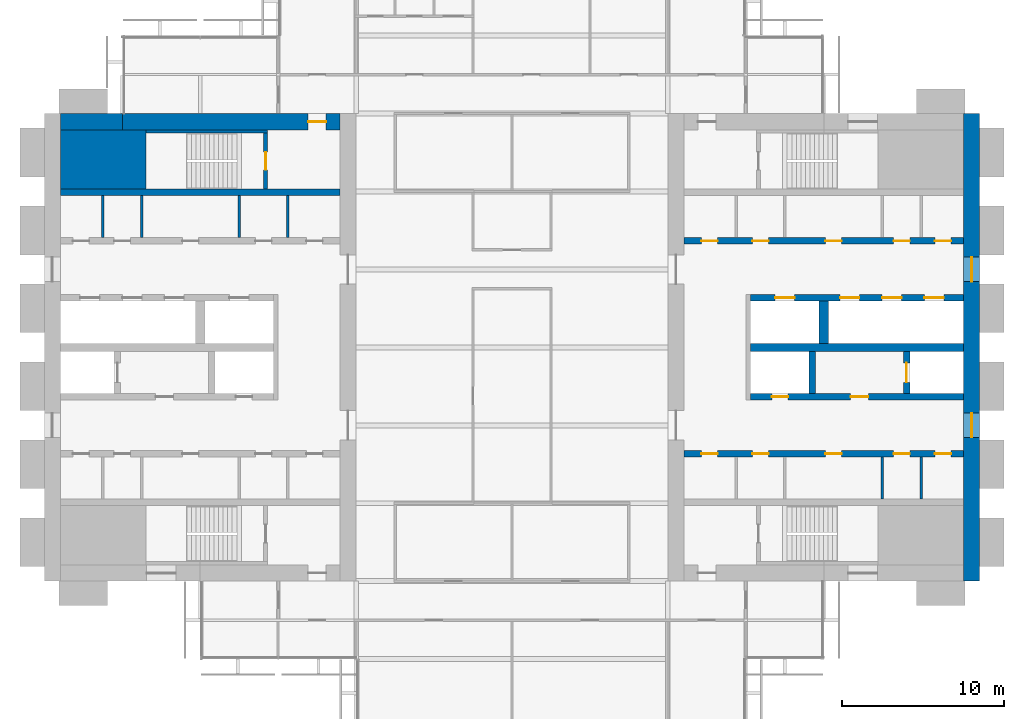
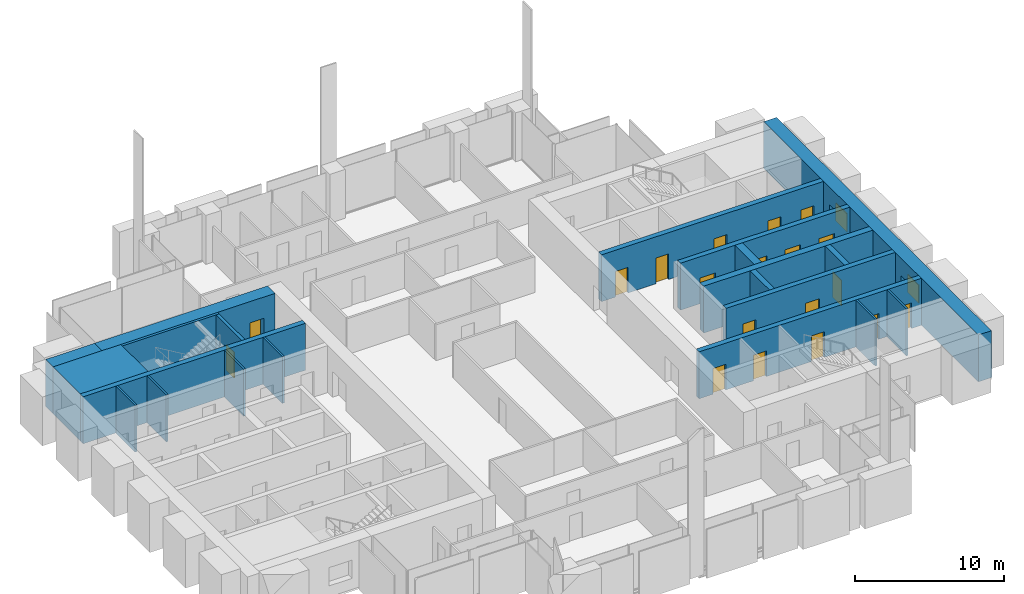
# One storey, part 11 of 14: 21 walls, 19 doors, 2 windows, 21 openings.
"""IFC4 building model written with IfcOpenShell, lengths in metres."""

import ifcopenshell
import ifcopenshell.guid

model = None  # the IFC model being written
_history = None  # IfcOwnerHistory: only IFC2X3 demands one
_inside = {}  # id of a spatial element -> (the spatial element, [elements in it])
_under = {}  # id of a project, library or spatial element -> (it, [spatial elements below it])
_declared = {}  # id of a project -> (the project, [libraries it declares])
_typed = {}  # id of a type object -> (the type object, [elements of that type])
_made_of = {}  # id of a material, layer set ... -> (it, [elements and type objects made of it])


def new_model(schema):
    """Start an empty IFC model of exactly this schema.

    Asked for "IFC4X3", IfcOpenShell would pick the latest addendum, in which some entities
    have other attributes; the version numbers below select the first issue.
    IFC2X3 requires an IfcOwnerHistory on every rooted entity: one is made here for all.
    """
    global model, _history
    if schema == "IFC4X3":
        model = ifcopenshell.file(schema_version=(4, 3, 0, 0))
    else:
        model = ifcopenshell.file(schema=schema)
    _inside.clear()
    _under.clear()
    _declared.clear()
    _typed.clear()
    _made_of.clear()
    _history = None
    if model.schema == "IFC2X3":
        org = make("IfcOrganization", Name="unknown")
        user = make(
            "IfcPersonAndOrganization",
            ThePerson=make("IfcPerson", FamilyName="unknown"),
            TheOrganization=org,
        )
        app = make(
            "IfcApplication",
            ApplicationDeveloper=org,
            Version="unknown",
            ApplicationFullName="unknown",
            ApplicationIdentifier="unknown",
        )
        _history = make(
            "IfcOwnerHistory",
            OwningUser=user,
            OwningApplication=app,
            ChangeAction="ADDED",
            CreationDate=0,
        )
    return model


def make(cls, **values):
    """One entity of the class cls with the attributes given. An attribute that is None is left unset."""
    return model.create_entity(
        cls, **{name: value for name, value in values.items() if value is not None}
    )


def rooted(cls, **values):
    """An entity with a GlobalId (a new one), such as an element, a storey or a relation."""
    return make(cls, GlobalId=ifcopenshell.guid.new(), OwnerHistory=_history, **values)


def si_unit(unit_type, name, prefix=None):
    """IfcSIUnit, for example si_unit("LENGTHUNIT", "METRE", prefix="MILLI")."""
    return make("IfcSIUnit", UnitType=unit_type, Prefix=prefix, Name=name)


def assignment(units):
    """IfcUnitAssignment: the units of a project."""
    return None if units is None else make("IfcUnitAssignment", Units=units)


def point(xyz):
    """IfcCartesianPoint."""
    return None if xyz is None else make("IfcCartesianPoint", Coordinates=xyz)


def direction(xyz):
    """IfcDirection."""
    return None if xyz is None else make("IfcDirection", DirectionRatios=xyz)


def frame(location, z_axis=None, x_axis=None):
    """IfcAxis2Placement3D, a coordinate frame: its origin and axes. An axis left out is left unset."""
    return make(
        "IfcAxis2Placement3D",
        Location=point(location),
        Axis=direction(z_axis),
        RefDirection=direction(x_axis),
    )


def frame_2d(location, x_axis=None):
    """IfcAxis2Placement2D, a coordinate frame in the plane: its origin and x axis."""
    return make(
        "IfcAxis2Placement2D", Location=point(location), RefDirection=direction(x_axis)
    )


def origin():
    """The frame at (0, 0, 0) with its axes left unset."""
    return frame((0.0, 0.0, 0.0))


def place(relative_to, where):
    """IfcLocalPlacement: puts the frame where relative to a parent placement (None: the world)."""
    return make(
        "IfcLocalPlacement", PlacementRelTo=relative_to, RelativePlacement=where
    )


def context(
    kind, dimensions, precision=None, world=None, true_north=None, identifier=None
):
    """IfcGeometricRepresentationContext, for example the 3D "Model" context."""
    return make(
        "IfcGeometricRepresentationContext",
        ContextIdentifier=identifier,
        ContextType=kind,
        CoordinateSpaceDimension=dimensions,
        Precision=precision,
        WorldCoordinateSystem=world,
        TrueNorth=true_north,
    )


def subcontext(parent, identifier, kind, view, scale=None):
    """IfcGeometricRepresentationSubContext, for example "Body" below "Model"."""
    return make(
        "IfcGeometricRepresentationSubContext",
        ContextIdentifier=identifier,
        ContextType=kind,
        ParentContext=parent,
        TargetScale=scale,
        TargetView=view,
    )


def project(units=None, contexts=None):
    """IfcProject with its units and contexts."""
    return rooted(
        "IfcProject",
        Name="project",
        RepresentationContexts=contexts,
        UnitsInContext=assignment(units),
    )


def spatial(cls, under=None, at=None, **own):
    """A site, building, storey or space (cls), placed at a placement, below another one or the project."""
    s = rooted(cls, ObjectPlacement=at, **own)
    if under is not None:
        _under.setdefault(under.id(), (under, []))[1].append(s)
    return s


def profile(cls, at=None, kind="AREA", **sizes):
    """A parametric profile (cls). Its sizes go by their IFC names, for example OverallWidth=200.0."""
    return make(cls, ProfileType=kind, Position=at, **sizes)


def rectangle(**sizes):
    """IfcRectangleProfileDef."""
    return profile("IfcRectangleProfileDef", **sizes)


def extrude(swept, where, along, depth):
    """IfcExtrudedAreaSolid: the profile swept, set in the frame where, extruded along a direction by depth."""
    return make(
        "IfcExtrudedAreaSolid",
        SweptArea=swept,
        Position=where,
        ExtrudedDirection=direction(along),
        Depth=depth,
    )


def shape(context_of_items, identifier, shape_type, items):
    """IfcShapeRepresentation: the items that make up one representation, for example the "Body"."""
    return make(
        "IfcShapeRepresentation",
        ContextOfItems=context_of_items,
        RepresentationIdentifier=identifier,
        RepresentationType=shape_type,
        Items=items,
    )


def material(Name=None, Category=None):
    """IfcMaterial."""
    return make("IfcMaterial", Name=Name, Category=Category)


def layer(
    of_material, thickness, ventilated=None, Name=None, Category=None, Priority=None
):
    """IfcMaterialLayer: one layer of a wall or slab, of a material (None: an air gap)."""
    return make(
        "IfcMaterialLayer",
        Material=of_material,
        LayerThickness=thickness,
        IsVentilated=ventilated,
        Name=Name,
        Category=Category,
        Priority=Priority,
    )


def layer_set(layers, Name=None):
    """IfcMaterialLayerSet."""
    return make("IfcMaterialLayerSet", MaterialLayers=layers, LayerSetName=Name)


def made_of(thing, what):
    """Note that an element or type object is made of a material, layer set ...; save() writes the relation."""
    if what is not None:
        _made_of.setdefault(what.id(), (what, []))[1].append(thing)
    return thing


def type_object(cls, material=None, **own):
    """A type object (cls), such as IfcWallType, which elements share."""
    return made_of(rooted(cls, **own), material)


def element(
    cls,
    number,
    at=None,
    inside=None,
    cuts=None,
    type_object=None,
    material=None,
    context=None,
    identifier="Body",
    shape_type=None,
    held_by="IfcProductDefinitionShape",
    body=None,
    shapes=None,
    **own,
):
    """One element of the class cls, such as IfcWall. Its Tag is "e" and its number.

    at: its placement. inside: the storey or other place that contains it. cuts: it is an
    opening in that element (IfcRelVoidsElement). A single representation is given by context,
    identifier, shape_type and body (its items); several are given by shapes. held_by: the class
    of the entity that holds the representations. save() writes the other relations.
    """
    e = rooted(cls, Tag="e%d" % number, ObjectPlacement=at, **own)
    if body is not None:
        shapes = [shape(context, identifier, shape_type, body)]
    if shapes is not None:
        e.Representation = make(held_by, Representations=shapes)
    if inside is not None:
        _inside.setdefault(inside.id(), (inside, []))[1].append(e)
    if cuts is not None:
        rooted(
            "IfcRelVoidsElement", RelatingBuildingElement=cuts, RelatedOpeningElement=e
        )
    if type_object is not None:
        _typed.setdefault(type_object.id(), (type_object, []))[1].append(e)
    return made_of(e, material)


def fill(opening, filler):
    """IfcRelFillsElement: the door or window that sits in an opening."""
    return rooted(
        "IfcRelFillsElement",
        RelatingOpeningElement=opening,
        RelatedBuildingElement=filler,
    )


def aggregate(whole, parts):
    """IfcRelAggregates: a whole, such as a stair, and the parts it consists of."""
    return rooted("IfcRelAggregates", RelatingObject=whole, RelatedObjects=parts)


def save(model, path):
    """Write the relations noted so far, then the file.

    IfcRelAggregates (storeys below a building ...), IfcRelContainedInSpatialStructure (elements
    in a storey), IfcRelDefinesByType, IfcRelAssociatesMaterial and IfcRelDeclares: one each for
    every whole, place, type object, material and project.
    """
    for whole, parts in _under.values():
        aggregate(whole, parts)
    for where, things in _inside.values():
        rooted(
            "IfcRelContainedInSpatialStructure",
            RelatedElements=things,
            RelatingStructure=where,
        )
    for kind, things in _typed.values():
        rooted("IfcRelDefinesByType", RelatedObjects=things, RelatingType=kind)
    for what, things in _made_of.values():
        rooted("IfcRelAssociatesMaterial", RelatedObjects=things, RelatingMaterial=what)
    for by, libraries in _declared.values():
        rooted("IfcRelDeclares", RelatingContext=by, RelatedDefinitions=libraries)
    model.write(path)


model = new_model("IFC4")

# Units and contexts
model_context = context("Model", 3, precision=1e-05, world=origin(), true_north=direction((0.0, 1.0)))
body_context = subcontext(model_context, "Body", "Model", "MODEL_VIEW")
ifc_project = project(units=[si_unit("LENGTHUNIT", "METRE"), si_unit("AREAUNIT", "SQUARE_METRE"), si_unit("VOLUMEUNIT", "CUBIC_METRE"), si_unit("PLANEANGLEUNIT", "RADIAN"), si_unit("MASSUNIT", "GRAM", prefix="KILO")], contexts=[model_context])

# Site, building, storey
site_placement = place(None, origin())
site = spatial("IfcSite", under=ifc_project, at=site_placement, CompositionType="ELEMENT")
building_placement = place(site_placement, origin())
building = spatial("IfcBuilding", under=site, at=building_placement, Name="Baori Bourse Tower", CompositionType="ELEMENT")
storey_placement = place(building_placement, frame((0.0, 0.0, 156.10009765625)))
storey = spatial("IfcBuildingStorey", under=building, at=storey_placement, Name="L34", CompositionType="ELEMENT", Elevation=156.10009765625)

# Walls
ifc_material_1 = material(Name="Concrete f'c 60 MPa", Category="concrete")
wall_type_1 = type_object("IfcWallType", Name="Core corner block f'c 60", PredefinedType="SHEAR", material=ifc_material_1)
wall_1_placement = place(storey_placement, frame((1.0, 35.574951171875, 0.0), z_axis=(0.0, 0.0, 1.0), x_axis=(1.0, 0.0, 0.0)))
element("IfcWall", 1, at=wall_1_placement, inside=storey, type_object=wall_type_1, Name="Core wall W28", PredefinedType="SHEAR", context=body_context, shape_type="SweptSolid", body=[
    extrude(rectangle(XDim=5.25, YDim=3.64990234375, at=frame_2d((2.625, 0.0))), origin(), (0.0, 0.0, 1.0), 3.83984375),
])
ifc_material_2 = material(Name="Blockwork partition", Category="masonry")
ifc_layer_1 = layer(ifc_material_2, 0.14990234375)
ifc_layer_set_1 = layer_set([ifc_layer_1], Name="Core partition 150")
wall_type_2 = type_object("IfcWallType", Name="Core partition 150", PredefinedType="PARTITIONING", material=ifc_layer_set_1)
for number, where, z_axis, x_axis, name in (
    (2, (3.60009765625, 30.75, 0.0), (0.0, 0.0, 1.0), (0.0, 1.0, 0.0), "Partition wall W23"),
    (3, (6.0, 30.75, 0.0), (0.0, 0.0, 1.0), (0.0, 1.0, 0.0), "Partition wall W24"),
    (4, (12.0, 30.75, 0.0), (0.0, 0.0, 1.0), (0.0, 1.0, 0.0), "Partition wall W25"),
    (5, (15.0, 30.75, 0.0), (0.0, 0.0, 1.0), (0.0, 1.0, 0.0), "Partition wall W26"),
    (6, (54.0, 14.64990234375, 0.0), (0.0, 0.0, 1.0), (0.0, 1.0, 0.0), "Partition wall E10"),
    (7, (51.60009765625, 14.64990234375, 0.0), (0.0, 0.0, 1.0), (0.0, 1.0, 0.0), "Partition wall E11"),
):
    element("IfcWall", number, at=place(storey_placement, frame(where, z_axis=z_axis, x_axis=x_axis)), inside=storey, type_object=wall_type_2, Name=name, PredefinedType="PARTITIONING", context=body_context, shape_type="SweptSolid", body=[
        extrude(rectangle(XDim=2.60009765625, YDim=0.14990234375, at=frame_2d((1.300048828125, 0.0))), origin(), (0.0, 0.0, 1.0), 3.83984375),
    ])
ifc_material_3 = material(Name="Concrete f'c 60 MPa", Category="concrete")
ifc_layer_2 = layer(ifc_material_3, 1.0)
ifc_layer_set_2 = layer_set([ifc_layer_2], Name="Core wall 1000 f'c 60")
wall_type_3 = type_object("IfcWallType", Name="Core wall 1000 f'c 60", PredefinedType="SHEAR", material=ifc_layer_set_2)
wall_2_placement = place(storey_placement, frame((1.0, 37.89990234375, 0.0), z_axis=(0.0, 0.0, 1.0), x_axis=(1.0, 0.0, 0.0)))
element("IfcWall", 8, at=wall_2_placement, inside=storey, type_object=wall_type_3, Name="Core wall W31", PredefinedType="SHEAR", context=body_context, shape_type="SweptSolid", body=[
    extrude(rectangle(XDim=3.800048828125, YDim=1.0, at=frame_2d((1.89990234375, 0.0))), origin(), (0.0, 0.0, 1.0), 3.83984375),
])

# Wall, opening, door
wall_3_placement = place(storey_placement, frame((4.800048828125, 37.89990234375, 0.0), z_axis=(0.0, 0.0, 1.0), x_axis=(1.0, 0.0, 0.0)))
wall_3 = element("IfcWall", 9, at=wall_3_placement, inside=storey, type_object=wall_type_3, Name="Core wall W32", PredefinedType="SHEAR", context=body_context, shape_type="SweptSolid", body=[
    extrude(rectangle(XDim=13.39990234375, YDim=1.0, at=frame_2d((6.699951171875, 0.0))), origin(), (0.0, 0.0, 1.0), 3.83984375),
])
opening_1_placement = place(wall_3_placement, frame((11.449951171875, 0.0, 0.0)))
opening_1 = element("IfcOpeningElement", 10, at=opening_1_placement, cuts=wall_3, Name="Opening L34-D104", PredefinedType="OPENING", context=body_context, shape_type="SweptSolid", body=[
    extrude(rectangle(XDim=1.10009765625, YDim=2.10009765625, at=frame_2d((0.550048828125, 1.050048828125))), frame((0.0, 0.510009765625, 0.0), z_axis=(0.0, -1.0, 0.0), x_axis=(1.0, 0.0, 0.0)), (0.0, 0.0, 1.0), 1.02001953125),
])
ifc_material_4 = material(Name="Painted steel door", Category="steel")
door_type_1 = type_object("IfcDoorType", Name="Stair door 1100", OperationType="SINGLE_SWING_LEFT", PredefinedType="DOOR", material=ifc_material_4)
door_1_placement = place(opening_1_placement, origin())
door_1 = element("IfcDoor", 11, at=door_1_placement, inside=storey, type_object=door_type_1, Name="Stair vestibule door B W L34", OperationType="SINGLE_SWING_LEFT", OverallHeight=2.10009765625, OverallWidth=1.10009765625, PredefinedType="DOOR", context=body_context, shape_type="SweptSolid", body=[
    extrude(rectangle(XDim=1.10009765625, YDim=2.10009765625, at=frame_2d((0.550048828125, 1.050048828125))), frame((0.0, 0.02490234375, 0.0), z_axis=(0.0, -1.0, 0.0), x_axis=(1.0, 0.0, 0.0)), (0.0, 0.0, 1.0), 0.050048828125),
])
fill(opening_1, door_1)

# Wall, openings, windows
wall_4_placement = place(storey_placement, frame((57.10009765625, 38.39990234375, 0.0), z_axis=(0.0, 0.0, 1.0), x_axis=(0.0, -1.0, 0.0)))
wall_4 = element("IfcWall", 12, at=wall_4_placement, inside=storey, type_object=wall_type_3, Name="Core wall E01", PredefinedType="SHEAR", context=body_context, shape_type="SweptSolid", body=[
    extrude(rectangle(XDim=28.7998046875, YDim=1.0, at=frame_2d((14.39990234375, 0.0))), origin(), (0.0, 0.0, 1.0), 3.83984375),
])
opening_2_placement = place(wall_4_placement, frame((18.449951171875, 0.0, 0.89990234375)))
opening_2 = element("IfcOpeningElement", 13, at=opening_2_placement, cuts=wall_4, Name="Opening L34-KW201", PredefinedType="OPENING", context=body_context, shape_type="SweptSolid", body=[
    extrude(rectangle(XDim=1.5, YDim=1.5, at=frame_2d((0.75, 0.75))), frame((0.0, 0.510009765625, 0.0), z_axis=(0.0, -1.0, 0.0), x_axis=(1.0, 0.0, 0.0)), (0.0, 0.0, 1.0), 1.02001953125),
])
opening_3_placement = place(wall_4_placement, frame((8.85009765625, 0.0, 0.89990234375)))
opening_3 = element("IfcOpeningElement", 14, at=opening_3_placement, cuts=wall_4, Name="Opening L34-KW202", PredefinedType="OPENING", context=body_context, shape_type="SweptSolid", body=[
    extrude(rectangle(XDim=1.5, YDim=1.5, at=frame_2d((0.75, 0.75))), frame((0.0, 0.510009765625, 0.0), z_axis=(0.0, -1.0, 0.0), x_axis=(1.0, 0.0, 0.0)), (0.0, 0.0, 1.0), 1.02001953125),
])
ifc_material_5 = material(Name="Pale anodised aluminium", Category="aluminium")
window_type = type_object("IfcWindowType", Name="Lobby window 1500 x 1500", PartitioningType="SINGLE_PANEL", PredefinedType="WINDOW", material=ifc_material_5)
window_1_placement = place(opening_2_placement, origin())
window_1 = element("IfcWindow", 15, at=window_1_placement, inside=storey, type_object=window_type, Name="Outer wall window E L34 1", OverallHeight=1.5, OverallWidth=1.5, PartitioningType="SINGLE_PANEL", PredefinedType="WINDOW", context=body_context, shape_type="SweptSolid", body=[
    extrude(rectangle(XDim=1.5, YDim=1.5, at=frame_2d((0.75, 0.75))), frame((0.0, 0.030029296875, 0.0), z_axis=(0.0, -1.0, 0.0), x_axis=(1.0, 0.0, 0.0)), (0.0, 0.0, 1.0), 0.06005859375),
])
fill(opening_2, window_1)
window_2_placement = place(opening_3_placement, origin())
window_2 = element("IfcWindow", 16, at=window_2_placement, inside=storey, type_object=window_type, Name="Outer wall window E L34 2", OverallHeight=1.5, OverallWidth=1.5, PartitioningType="SINGLE_PANEL", PredefinedType="WINDOW", context=body_context, shape_type="SweptSolid", body=[
    extrude(rectangle(XDim=1.5, YDim=1.5, at=frame_2d((0.75, 0.75))), frame((0.0, 0.030029296875, 0.0), z_axis=(0.0, -1.0, 0.0), x_axis=(1.0, 0.0, 0.0)), (0.0, 0.0, 1.0), 0.06005859375),
])
fill(opening_3, window_2)

# Wall
ifc_material_6 = material(Name="Concrete f'c 60 MPa", Category="concrete")
ifc_layer_3 = layer(ifc_material_6, 0.199951171875)
ifc_layer_set_3 = layer_set([ifc_layer_3], Name="Shaft wall 200 f'c 60")
wall_type_4 = type_object("IfcWallType", Name="Shaft wall 200 f'c 60", PredefinedType="SHEAR", material=ifc_layer_set_3)
wall_5_placement = place(storey_placement, frame((6.25, 37.300048828125, 0.0), z_axis=(0.0, 0.0, 1.0), x_axis=(1.0, 0.0, 0.0)))
element("IfcWall", 17, at=wall_5_placement, inside=storey, type_object=wall_type_4, Name="Core wall W30", PredefinedType="SHEAR", context=body_context, shape_type="SweptSolid", body=[
    extrude(rectangle(XDim=7.5, YDim=0.199951171875, at=frame_2d((3.75, 0.0))), origin(), (0.0, 0.0, 1.0), 3.83984375),
])

# Wall, opening, door
ifc_material_7 = material(Name="Concrete f'c 60 MPa", Category="concrete")
ifc_layer_4 = layer(ifc_material_7, 0.25)
ifc_layer_set_4 = layer_set([ifc_layer_4], Name="Shaft wall 250 f'c 60")
wall_type_5 = type_object("IfcWallType", Name="Shaft wall 250 f'c 60", PredefinedType="SHEAR", material=ifc_layer_set_4)
wall_6_placement = place(storey_placement, frame((13.625, 33.75, 0.0), z_axis=(0.0, 0.0, 1.0), x_axis=(0.0, 1.0, 0.0)))
wall_6 = element("IfcWall", 18, at=wall_6_placement, inside=storey, type_object=wall_type_5, Name="Core wall W29", PredefinedType="SHEAR", context=body_context, shape_type="SweptSolid", body=[
    extrude(rectangle(XDim=3.449951171875, YDim=0.25, at=frame_2d((1.72509765625, 0.0))), origin(), (0.0, 0.0, 1.0), 3.83984375),
])
opening_4_placement = place(wall_6_placement, frame((1.175048828125, 0.0, 0.0)))
opening_4 = element("IfcOpeningElement", 19, at=opening_4_placement, cuts=wall_6, Name="Opening L34-D103", PredefinedType="OPENING", context=body_context, shape_type="SweptSolid", body=[
    extrude(rectangle(XDim=1.10009765625, YDim=2.10009765625, at=frame_2d((0.550048828125, 1.050048828125))), frame((0.0, 0.135009765625, 0.0), z_axis=(0.0, -1.0, 0.0), x_axis=(1.0, 0.0, 0.0)), (0.0, 0.0, 1.0), 0.27001953125),
])
door_2_placement = place(opening_4_placement, origin())
door_2 = element("IfcDoor", 20, at=door_2_placement, inside=storey, type_object=door_type_1, Name="Stair door B W L34", OperationType="SINGLE_SWING_LEFT", OverallHeight=2.10009765625, OverallWidth=1.10009765625, PredefinedType="DOOR", context=body_context, shape_type="SweptSolid", body=[
    extrude(rectangle(XDim=1.10009765625, YDim=2.10009765625, at=frame_2d((0.550048828125, 1.050048828125))), frame((0.0, 0.02490234375, 0.0), z_axis=(0.0, -1.0, 0.0), x_axis=(1.0, 0.0, 0.0)), (0.0, 0.0, 1.0), 0.050048828125),
])
fill(opening_4, door_2)

# Wall
ifc_material_8 = material(Name="Concrete f'c 60 MPa", Category="concrete")
ifc_layer_5 = layer(ifc_material_8, 0.39990234375)
ifc_layer_set_5 = layer_set([ifc_layer_5], Name="Shaft wall 400 f'c 60")
wall_type_6 = type_object("IfcWallType", Name="Shaft wall 400 f'c 60", PredefinedType="SHEAR", material=ifc_layer_set_5)
wall_7_placement = place(storey_placement, frame((1.0, 33.550048828125, 0.0), z_axis=(0.0, 0.0, 1.0), x_axis=(1.0, 0.0, 0.0)))
element("IfcWall", 21, at=wall_7_placement, inside=storey, type_object=wall_type_6, Name="Core wall W27", PredefinedType="SHEAR", context=body_context, shape_type="SweptSolid", body=[
    extrude(rectangle(XDim=17.199951171875, YDim=0.39990234375, at=frame_2d((8.60009765625, 0.0))), origin(), (0.0, 0.0, 1.0), 3.83984375),
])

# Wall, openings, doors
wall_8_placement = place(storey_placement, frame((39.39990234375, 17.449951171875, 0.0), z_axis=(0.0, 0.0, 1.0), x_axis=(1.0, 0.0, 0.0)))
wall_8 = element("IfcWall", 22, at=wall_8_placement, inside=storey, type_object=wall_type_6, Name="Core wall E14", PredefinedType="SHEAR", context=body_context, shape_type="SweptSolid", body=[
    extrude(rectangle(XDim=17.2001953125, YDim=0.39990234375, at=frame_2d((8.60009765625, 0.0))), origin(), (0.0, 0.0, 1.0), 3.83984375),
])
opening_5_placement = place(wall_8_placement, frame((15.4375, 0.0, 0.0)))
opening_5 = element("IfcOpeningElement", 23, at=opening_5_placement, cuts=wall_8, Name="Opening L34-D214", PredefinedType="OPENING", context=body_context, shape_type="SweptSolid", body=[
    extrude(rectangle(XDim=1.0, YDim=2.10009765625, at=frame_2d((0.5, 1.050048828125))), frame((0.0, 0.2099609375, 0.0), z_axis=(0.0, -1.0, 0.0), x_axis=(1.0, 0.0, 0.0)), (0.0, 0.0, 1.0), 0.419921875),
])
opening_6_placement = place(wall_8_placement, frame((12.89990234375, 0.0, 0.0)))
opening_6 = element("IfcOpeningElement", 24, at=opening_6_placement, cuts=wall_8, Name="Opening L34-D215", PredefinedType="OPENING", context=body_context, shape_type="SweptSolid", body=[
    extrude(rectangle(XDim=1.0, YDim=2.10009765625, at=frame_2d((0.5, 1.050048828125))), frame((0.0, 0.2099609375, 0.0), z_axis=(0.0, -1.0, 0.0), x_axis=(1.0, 0.0, 0.0)), (0.0, 0.0, 1.0), 0.419921875),
])
opening_7_placement = place(wall_8_placement, frame((8.699951171875, 0.0, 0.0)))
opening_7 = element("IfcOpeningElement", 25, at=opening_7_placement, cuts=wall_8, Name="Opening L34-D216", PredefinedType="OPENING", context=body_context, shape_type="SweptSolid", body=[
    extrude(rectangle(XDim=1.0, YDim=2.10009765625, at=frame_2d((0.5, 1.050048828125))), frame((0.0, 0.2099609375, 0.0), z_axis=(0.0, -1.0, 0.0), x_axis=(1.0, 0.0, 0.0)), (0.0, 0.0, 1.0), 0.419921875),
])
opening_8_placement = place(wall_8_placement, frame((4.199951171875, 0.0, 0.0)))
opening_8 = element("IfcOpeningElement", 26, at=opening_8_placement, cuts=wall_8, Name="Opening L34-D217", PredefinedType="OPENING", context=body_context, shape_type="SweptSolid", body=[
    extrude(rectangle(XDim=1.0, YDim=2.10009765625, at=frame_2d((0.5, 1.050048828125))), frame((0.0, 0.2099609375, 0.0), z_axis=(0.0, -1.0, 0.0), x_axis=(1.0, 0.0, 0.0)), (0.0, 0.0, 1.0), 0.419921875),
])
opening_9_placement = place(wall_8_placement, frame((1.0625, 0.0, 0.0)))
opening_9 = element("IfcOpeningElement", 27, at=opening_9_placement, cuts=wall_8, Name="Opening L34-D218", PredefinedType="OPENING", context=body_context, shape_type="SweptSolid", body=[
    extrude(rectangle(XDim=1.0, YDim=2.10009765625, at=frame_2d((0.5, 1.050048828125))), frame((0.0, 0.2099609375, 0.0), z_axis=(0.0, -1.0, 0.0), x_axis=(1.0, 0.0, 0.0)), (0.0, 0.0, 1.0), 0.419921875),
])
ifc_material_9 = material(Name="Painted steel door", Category="steel")
door_type_2 = type_object("IfcDoorType", Name="Core door 1000", OperationType="SINGLE_SWING_LEFT", PredefinedType="DOOR", material=ifc_material_9)
door_3_placement = place(opening_5_placement, origin())
door_3 = element("IfcDoor", 28, at=door_3_placement, inside=storey, type_object=door_type_2, Name="Store Room door E L34", OperationType="SINGLE_SWING_LEFT", OverallHeight=2.10009765625, OverallWidth=1.0, PredefinedType="DOOR", context=body_context, shape_type="SweptSolid", body=[
    extrude(rectangle(XDim=1.0, YDim=2.10009765625, at=frame_2d((0.5, 1.050048828125))), frame((0.0, 0.02490234375, 0.0), z_axis=(0.0, -1.0, 0.0), x_axis=(1.0, 0.0, 0.0)), (0.0, 0.0, 1.0), 0.050048828125),
])
fill(opening_5, door_3)
door_4_placement = place(opening_6_placement, origin())
door_4 = element("IfcDoor", 29, at=door_4_placement, inside=storey, type_object=door_type_2, Name="Pantry door E L34", OperationType="SINGLE_SWING_LEFT", OverallHeight=2.10009765625, OverallWidth=1.0, PredefinedType="DOOR", context=body_context, shape_type="SweptSolid", body=[
    extrude(rectangle(XDim=1.0, YDim=2.10009765625, at=frame_2d((0.5, 1.050048828125))), frame((0.0, 0.02490234375, 0.0), z_axis=(0.0, -1.0, 0.0), x_axis=(1.0, 0.0, 0.0)), (0.0, 0.0, 1.0), 0.050048828125),
])
fill(opening_6, door_4)
door_5_placement = place(opening_7_placement, origin())
door_5 = element("IfcDoor", 30, at=door_5_placement, inside=storey, type_object=door_type_2, Name="Men'S Wc door E L34", OperationType="SINGLE_SWING_LEFT", OverallHeight=2.10009765625, OverallWidth=1.0, PredefinedType="DOOR", context=body_context, shape_type="SweptSolid", body=[
    extrude(rectangle(XDim=1.0, YDim=2.10009765625, at=frame_2d((0.5, 1.050048828125))), frame((0.0, 0.02490234375, 0.0), z_axis=(0.0, -1.0, 0.0), x_axis=(1.0, 0.0, 0.0)), (0.0, 0.0, 1.0), 0.050048828125),
])
fill(opening_7, door_5)
door_6_placement = place(opening_8_placement, origin())
door_6 = element("IfcDoor", 31, at=door_6_placement, inside=storey, type_object=door_type_2, Name="Women'S Wc door E L34", OperationType="SINGLE_SWING_LEFT", OverallHeight=2.10009765625, OverallWidth=1.0, PredefinedType="DOOR", context=body_context, shape_type="SweptSolid", body=[
    extrude(rectangle(XDim=1.0, YDim=2.10009765625, at=frame_2d((0.5, 1.050048828125))), frame((0.0, 0.02490234375, 0.0), z_axis=(0.0, -1.0, 0.0), x_axis=(1.0, 0.0, 0.0)), (0.0, 0.0, 1.0), 0.050048828125),
])
fill(opening_8, door_6)
door_7_placement = place(opening_9_placement, origin())
door_7 = element("IfcDoor", 32, at=door_7_placement, inside=storey, type_object=door_type_2, Name="Accessible Wc door E L34", OperationType="SINGLE_SWING_LEFT", OverallHeight=2.10009765625, OverallWidth=1.0, PredefinedType="DOOR", context=body_context, shape_type="SweptSolid", body=[
    extrude(rectangle(XDim=1.0, YDim=2.10009765625, at=frame_2d((0.5, 1.050048828125))), frame((0.0, 0.02490234375, 0.0), z_axis=(0.0, -1.0, 0.0), x_axis=(1.0, 0.0, 0.0)), (0.0, 0.0, 1.0), 0.050048828125),
])
fill(opening_9, door_7)

wall_9_placement = place(storey_placement, frame((43.5, 20.949951171875, 0.0), z_axis=(0.0, 0.0, 1.0), x_axis=(1.0, 0.0, 0.0)))
wall_9 = element("IfcWall", 33, at=wall_9_placement, inside=storey, type_object=wall_type_6, Name="Core wall E15", PredefinedType="SHEAR", context=body_context, shape_type="SweptSolid", body=[
    extrude(rectangle(XDim=13.10009765625, YDim=0.39990234375, at=frame_2d((6.550048828125, 0.0))), origin(), (0.0, 0.0, 1.0), 3.83984375),
])
opening_10_placement = place(wall_9_placement, frame((6.14990234375, 0.0, 0.0)))
opening_10 = element("IfcOpeningElement", 34, at=opening_10_placement, cuts=wall_9, Name="Opening L34-D205", PredefinedType="OPENING", context=body_context, shape_type="SweptSolid", body=[
    extrude(rectangle(XDim=1.10009765625, YDim=2.10009765625, at=frame_2d((0.550048828125, 1.050048828125))), frame((0.0, 0.2099609375, 0.0), z_axis=(0.0, -1.0, 0.0), x_axis=(1.0, 0.0, 0.0)), (0.0, 0.0, 1.0), 0.419921875),
])
opening_11_placement = place(wall_9_placement, frame((1.300048828125, 0.0, 0.0)))
opening_11 = element("IfcOpeningElement", 35, at=opening_11_placement, cuts=wall_9, Name="Opening L34-D206", PredefinedType="OPENING", context=body_context, shape_type="SweptSolid", body=[
    extrude(rectangle(XDim=1.0, YDim=2.10009765625, at=frame_2d((0.5, 1.050048828125))), frame((0.0, 0.2099609375, 0.0), z_axis=(0.0, -1.0, 0.0), x_axis=(1.0, 0.0, 0.0)), (0.0, 0.0, 1.0), 0.419921875),
])
ifc_material_10 = material(Name="Painted steel door", Category="steel")
door_type_3 = type_object("IfcDoorType", Name="Lobby door 1100", OperationType="SINGLE_SWING_LEFT", PredefinedType="DOOR", material=ifc_material_10)
door_8_placement = place(opening_10_placement, origin())
door_8 = element("IfcDoor", 36, at=door_8_placement, inside=storey, type_object=door_type_3, Name="Firefighting lobby door E L34", OperationType="SINGLE_SWING_LEFT", OverallHeight=2.10009765625, OverallWidth=1.10009765625, PredefinedType="DOOR", context=body_context, shape_type="SweptSolid", body=[
    extrude(rectangle(XDim=1.10009765625, YDim=2.10009765625, at=frame_2d((0.550048828125, 1.050048828125))), frame((0.0, 0.02490234375, 0.0), z_axis=(0.0, -1.0, 0.0), x_axis=(1.0, 0.0, 0.0)), (0.0, 0.0, 1.0), 0.050048828125),
])
fill(opening_10, door_8)
ifc_material_11 = material(Name="Painted steel door", Category="steel")
door_type_4 = type_object("IfcDoorType", Name="Shaft door 1000", OperationType="SINGLE_SWING_LEFT", PredefinedType="DOOR", material=ifc_material_11)
door_9_placement = place(opening_11_placement, origin())
door_9 = element("IfcDoor", 37, at=door_9_placement, inside=storey, type_object=door_type_4, Name="Riser room door E L34", OperationType="SINGLE_SWING_LEFT", OverallHeight=2.10009765625, OverallWidth=1.0, PredefinedType="DOOR", context=body_context, shape_type="SweptSolid", body=[
    extrude(rectangle(XDim=1.0, YDim=2.10009765625, at=frame_2d((0.5, 1.050048828125))), frame((0.0, 0.02490234375, 0.0), z_axis=(0.0, -1.0, 0.0), x_axis=(1.0, 0.0, 0.0)), (0.0, 0.0, 1.0), 0.050048828125),
])
fill(opening_11, door_9)

# Wall, opening, door
wall_10_placement = place(storey_placement, frame((53.10009765625, 21.14990234375, 0.0), z_axis=(0.0, 0.0, 1.0), x_axis=(0.0, 1.0, 0.0)))
wall_10 = element("IfcWall", 38, at=wall_10_placement, inside=storey, type_object=wall_type_6, Name="Core wall E17", PredefinedType="SHEAR", context=body_context, shape_type="SweptSolid", body=[
    extrude(rectangle(XDim=2.60009765625, YDim=0.39990234375, at=frame_2d((1.300048828125, 0.0))), origin(), (0.0, 0.0, 1.0), 3.83984375),
])
opening_12_placement = place(wall_10_placement, frame((0.699951171875, 0.0, 0.0)))
opening_12 = element("IfcOpeningElement", 39, at=opening_12_placement, cuts=wall_10, Name="Opening L34-D223", PredefinedType="OPENING", context=body_context, shape_type="SweptSolid", body=[
    extrude(rectangle(XDim=1.199951171875, YDim=2.10009765625, at=frame_2d((0.60009765625, 1.050048828125))), frame((0.0, 0.2099609375, 0.0), z_axis=(0.0, -1.0, 0.0), x_axis=(1.0, 0.0, 0.0)), (0.0, 0.0, 1.0), 0.419921875),
])
ifc_material_12 = material(Name="Stainless steel door", Category="steel")
door_type_5 = type_object("IfcDoorType", Name="Lift landing door", OperationType="DOUBLE_DOOR_SLIDING", PredefinedType="DOOR", material=ifc_material_12)
door_10_placement = place(opening_12_placement, origin())
door_10 = element("IfcDoor", 40, at=door_10_placement, inside=storey, type_object=door_type_5, Name="Lift landing door FF2 E L34", OperationType="DOUBLE_DOOR_SLIDING", OverallHeight=2.10009765625, OverallWidth=1.199951171875, PredefinedType="DOOR", context=body_context, shape_type="SweptSolid", body=[
    extrude(rectangle(XDim=1.199951171875, YDim=2.10009765625, at=frame_2d((0.60009765625, 1.050048828125))), frame((0.0, 0.02490234375, 0.0), z_axis=(0.0, -1.0, 0.0), x_axis=(1.0, 0.0, 0.0)), (0.0, 0.0, 1.0), 0.050048828125),
])
fill(opening_12, door_10)

# Wall
wall_11_placement = place(storey_placement, frame((47.300048828125, 21.14990234375, 0.0), z_axis=(0.0, 0.0, 1.0), x_axis=(0.0, 1.0, 0.0)))
element("IfcWall", 41, at=wall_11_placement, inside=storey, type_object=wall_type_6, Name="Core wall E18", PredefinedType="SHEAR", context=body_context, shape_type="SweptSolid", body=[
    extrude(rectangle(XDim=2.60009765625, YDim=0.39990234375, at=frame_2d((1.300048828125, 0.0))), origin(), (0.0, 0.0, 1.0), 3.83984375),
])

# Wall, openings, doors
wall_12_placement = place(storey_placement, frame((43.5, 27.050048828125, 0.0), z_axis=(0.0, 0.0, 1.0), x_axis=(1.0, 0.0, 0.0)))
wall_12 = element("IfcWall", 42, at=wall_12_placement, inside=storey, type_object=wall_type_6, Name="Core wall E21", PredefinedType="SHEAR", context=body_context, shape_type="SweptSolid", body=[
    extrude(rectangle(XDim=13.10009765625, YDim=0.39990234375, at=frame_2d((6.550048828125, 0.0))), origin(), (0.0, 0.0, 1.0), 3.83984375),
])
opening_13_placement = place(wall_12_placement, frame((10.699951171875, 0.0, 0.0)))
opening_13 = element("IfcOpeningElement", 43, at=opening_13_placement, cuts=wall_12, Name="Opening L34-D219", PredefinedType="OPENING", context=body_context, shape_type="SweptSolid", body=[
    extrude(rectangle(XDim=1.199951171875, YDim=2.10009765625, at=frame_2d((0.60009765625, 1.050048828125))), frame((0.0, 0.2099609375, 0.0), z_axis=(0.0, -1.0, 0.0), x_axis=(1.0, 0.0, 0.0)), (0.0, 0.0, 1.0), 0.419921875),
])
opening_14_placement = place(wall_12_placement, frame((8.10009765625, 0.0, 0.0)))
opening_14 = element("IfcOpeningElement", 44, at=opening_14_placement, cuts=wall_12, Name="Opening L34-D220", PredefinedType="OPENING", context=body_context, shape_type="SweptSolid", body=[
    extrude(rectangle(XDim=1.199951171875, YDim=2.10009765625, at=frame_2d((0.60009765625, 1.050048828125))), frame((0.0, 0.2099609375, 0.0), z_axis=(0.0, -1.0, 0.0), x_axis=(1.0, 0.0, 0.0)), (0.0, 0.0, 1.0), 0.419921875),
])
opening_15_placement = place(wall_12_placement, frame((5.5, 0.0, 0.0)))
opening_15 = element("IfcOpeningElement", 45, at=opening_15_placement, cuts=wall_12, Name="Opening L34-D221", PredefinedType="OPENING", context=body_context, shape_type="SweptSolid", body=[
    extrude(rectangle(XDim=1.199951171875, YDim=2.10009765625, at=frame_2d((0.60009765625, 1.050048828125))), frame((0.0, 0.2099609375, 0.0), z_axis=(0.0, -1.0, 0.0), x_axis=(1.0, 0.0, 0.0)), (0.0, 0.0, 1.0), 0.419921875),
])
opening_16_placement = place(wall_12_placement, frame((1.5, 0.0, 0.0)))
opening_16 = element("IfcOpeningElement", 46, at=opening_16_placement, cuts=wall_12, Name="Opening L34-D222", PredefinedType="OPENING", context=body_context, shape_type="SweptSolid", body=[
    extrude(rectangle(XDim=1.199951171875, YDim=2.10009765625, at=frame_2d((0.60009765625, 1.050048828125))), frame((0.0, 0.2099609375, 0.0), z_axis=(0.0, -1.0, 0.0), x_axis=(1.0, 0.0, 0.0)), (0.0, 0.0, 1.0), 0.419921875),
])
door_11_placement = place(opening_13_placement, origin())
door_11 = element("IfcDoor", 47, at=door_11_placement, inside=storey, type_object=door_type_5, Name="Lift landing door SH1 E L34", OperationType="DOUBLE_DOOR_SLIDING", OverallHeight=2.10009765625, OverallWidth=1.199951171875, PredefinedType="DOOR", context=body_context, shape_type="SweptSolid", body=[
    extrude(rectangle(XDim=1.199951171875, YDim=2.10009765625, at=frame_2d((0.60009765625, 1.050048828125))), frame((0.0, 0.02490234375, 0.0), z_axis=(0.0, -1.0, 0.0), x_axis=(1.0, 0.0, 0.0)), (0.0, 0.0, 1.0), 0.050048828125),
])
fill(opening_13, door_11)
door_12_placement = place(opening_14_placement, origin())
door_12 = element("IfcDoor", 48, at=door_12_placement, inside=storey, type_object=door_type_5, Name="Lift landing door SH2 E L34", OperationType="DOUBLE_DOOR_SLIDING", OverallHeight=2.10009765625, OverallWidth=1.199951171875, PredefinedType="DOOR", context=body_context, shape_type="SweptSolid", body=[
    extrude(rectangle(XDim=1.199951171875, YDim=2.10009765625, at=frame_2d((0.60009765625, 1.050048828125))), frame((0.0, 0.02490234375, 0.0), z_axis=(0.0, -1.0, 0.0), x_axis=(1.0, 0.0, 0.0)), (0.0, 0.0, 1.0), 0.050048828125),
])
fill(opening_14, door_12)
door_13_placement = place(opening_15_placement, origin())
door_13 = element("IfcDoor", 49, at=door_13_placement, inside=storey, type_object=door_type_5, Name="Lift landing door SH3 E L34", OperationType="DOUBLE_DOOR_SLIDING", OverallHeight=2.10009765625, OverallWidth=1.199951171875, PredefinedType="DOOR", context=body_context, shape_type="SweptSolid", body=[
    extrude(rectangle(XDim=1.199951171875, YDim=2.10009765625, at=frame_2d((0.60009765625, 1.050048828125))), frame((0.0, 0.02490234375, 0.0), z_axis=(0.0, -1.0, 0.0), x_axis=(1.0, 0.0, 0.0)), (0.0, 0.0, 1.0), 0.050048828125),
])
fill(opening_15, door_13)
door_14_placement = place(opening_16_placement, origin())
door_14 = element("IfcDoor", 50, at=door_14_placement, inside=storey, type_object=door_type_5, Name="Lift landing door SV1 E L34", OperationType="DOUBLE_DOOR_SLIDING", OverallHeight=2.10009765625, OverallWidth=1.199951171875, PredefinedType="DOOR", context=body_context, shape_type="SweptSolid", body=[
    extrude(rectangle(XDim=1.199951171875, YDim=2.10009765625, at=frame_2d((0.60009765625, 1.050048828125))), frame((0.0, 0.02490234375, 0.0), z_axis=(0.0, -1.0, 0.0), x_axis=(1.0, 0.0, 0.0)), (0.0, 0.0, 1.0), 0.050048828125),
])
fill(opening_16, door_14)

wall_13_placement = place(storey_placement, frame((39.39990234375, 30.550048828125, 0.0), z_axis=(0.0, 0.0, 1.0), x_axis=(1.0, 0.0, 0.0)))
wall_13 = element("IfcWall", 51, at=wall_13_placement, inside=storey, type_object=wall_type_6, Name="Core wall E22", PredefinedType="SHEAR", context=body_context, shape_type="SweptSolid", body=[
    extrude(rectangle(XDim=17.2001953125, YDim=0.39990234375, at=frame_2d((8.60009765625, 0.0))), origin(), (0.0, 0.0, 1.0), 3.83984375),
])
opening_17_placement = place(wall_13_placement, frame((15.4375, 0.0, 0.0)))
opening_17 = element("IfcOpeningElement", 52, at=opening_17_placement, cuts=wall_13, Name="Opening L34-D209", PredefinedType="OPENING", context=body_context, shape_type="SweptSolid", body=[
    extrude(rectangle(XDim=1.0, YDim=2.10009765625, at=frame_2d((0.5, 1.050048828125))), frame((0.0, 0.2099609375, 0.0), z_axis=(0.0, -1.0, 0.0), x_axis=(1.0, 0.0, 0.0)), (0.0, 0.0, 1.0), 0.419921875),
])
opening_18_placement = place(wall_13_placement, frame((12.89990234375, 0.0, 0.0)))
opening_18 = element("IfcOpeningElement", 53, at=opening_18_placement, cuts=wall_13, Name="Opening L34-D210", PredefinedType="OPENING", context=body_context, shape_type="SweptSolid", body=[
    extrude(rectangle(XDim=1.0, YDim=2.10009765625, at=frame_2d((0.5, 1.050048828125))), frame((0.0, 0.2099609375, 0.0), z_axis=(0.0, -1.0, 0.0), x_axis=(1.0, 0.0, 0.0)), (0.0, 0.0, 1.0), 0.419921875),
])
opening_19_placement = place(wall_13_placement, frame((8.699951171875, 0.0, 0.0)))
opening_19 = element("IfcOpeningElement", 54, at=opening_19_placement, cuts=wall_13, Name="Opening L34-D211", PredefinedType="OPENING", context=body_context, shape_type="SweptSolid", body=[
    extrude(rectangle(XDim=1.0, YDim=2.10009765625, at=frame_2d((0.5, 1.050048828125))), frame((0.0, 0.2099609375, 0.0), z_axis=(0.0, -1.0, 0.0), x_axis=(1.0, 0.0, 0.0)), (0.0, 0.0, 1.0), 0.419921875),
])
opening_20_placement = place(wall_13_placement, frame((4.199951171875, 0.0, 0.0)))
opening_20 = element("IfcOpeningElement", 55, at=opening_20_placement, cuts=wall_13, Name="Opening L34-D212", PredefinedType="OPENING", context=body_context, shape_type="SweptSolid", body=[
    extrude(rectangle(XDim=1.0, YDim=2.10009765625, at=frame_2d((0.5, 1.050048828125))), frame((0.0, 0.2099609375, 0.0), z_axis=(0.0, -1.0, 0.0), x_axis=(1.0, 0.0, 0.0)), (0.0, 0.0, 1.0), 0.419921875),
])
opening_21_placement = place(wall_13_placement, frame((1.0625, 0.0, 0.0)))
opening_21 = element("IfcOpeningElement", 56, at=opening_21_placement, cuts=wall_13, Name="Opening L34-D213", PredefinedType="OPENING", context=body_context, shape_type="SweptSolid", body=[
    extrude(rectangle(XDim=1.0, YDim=2.10009765625, at=frame_2d((0.5, 1.050048828125))), frame((0.0, 0.2099609375, 0.0), z_axis=(0.0, -1.0, 0.0), x_axis=(1.0, 0.0, 0.0)), (0.0, 0.0, 1.0), 0.419921875),
])
door_15_placement = place(opening_17_placement, origin())
door_15 = element("IfcDoor", 57, at=door_15_placement, inside=storey, type_object=door_type_2, Name="Store Room door E L34", OperationType="SINGLE_SWING_LEFT", OverallHeight=2.10009765625, OverallWidth=1.0, PredefinedType="DOOR", context=body_context, shape_type="SweptSolid", body=[
    extrude(rectangle(XDim=1.0, YDim=2.10009765625, at=frame_2d((0.5, 1.050048828125))), frame((0.0, 0.02490234375, 0.0), z_axis=(0.0, -1.0, 0.0), x_axis=(1.0, 0.0, 0.0)), (0.0, 0.0, 1.0), 0.050048828125),
])
fill(opening_17, door_15)
door_16_placement = place(opening_18_placement, origin())
door_16 = element("IfcDoor", 58, at=door_16_placement, inside=storey, type_object=door_type_2, Name="Pantry door E L34", OperationType="SINGLE_SWING_LEFT", OverallHeight=2.10009765625, OverallWidth=1.0, PredefinedType="DOOR", context=body_context, shape_type="SweptSolid", body=[
    extrude(rectangle(XDim=1.0, YDim=2.10009765625, at=frame_2d((0.5, 1.050048828125))), frame((0.0, 0.02490234375, 0.0), z_axis=(0.0, -1.0, 0.0), x_axis=(1.0, 0.0, 0.0)), (0.0, 0.0, 1.0), 0.050048828125),
])
fill(opening_18, door_16)
door_17_placement = place(opening_19_placement, origin())
door_17 = element("IfcDoor", 59, at=door_17_placement, inside=storey, type_object=door_type_2, Name="Men'S Wc door E L34", OperationType="SINGLE_SWING_LEFT", OverallHeight=2.10009765625, OverallWidth=1.0, PredefinedType="DOOR", context=body_context, shape_type="SweptSolid", body=[
    extrude(rectangle(XDim=1.0, YDim=2.10009765625, at=frame_2d((0.5, 1.050048828125))), frame((0.0, 0.02490234375, 0.0), z_axis=(0.0, -1.0, 0.0), x_axis=(1.0, 0.0, 0.0)), (0.0, 0.0, 1.0), 0.050048828125),
])
fill(opening_19, door_17)
door_18_placement = place(opening_20_placement, origin())
door_18 = element("IfcDoor", 60, at=door_18_placement, inside=storey, type_object=door_type_2, Name="Women'S Wc door E L34", OperationType="SINGLE_SWING_LEFT", OverallHeight=2.10009765625, OverallWidth=1.0, PredefinedType="DOOR", context=body_context, shape_type="SweptSolid", body=[
    extrude(rectangle(XDim=1.0, YDim=2.10009765625, at=frame_2d((0.5, 1.050048828125))), frame((0.0, 0.02490234375, 0.0), z_axis=(0.0, -1.0, 0.0), x_axis=(1.0, 0.0, 0.0)), (0.0, 0.0, 1.0), 0.050048828125),
])
fill(opening_20, door_18)
door_19_placement = place(opening_21_placement, origin())
door_19 = element("IfcDoor", 61, at=door_19_placement, inside=storey, type_object=door_type_2, Name="Accessible Wc door E L34", OperationType="SINGLE_SWING_LEFT", OverallHeight=2.10009765625, OverallWidth=1.0, PredefinedType="DOOR", context=body_context, shape_type="SweptSolid", body=[
    extrude(rectangle(XDim=1.0, YDim=2.10009765625, at=frame_2d((0.5, 1.050048828125))), frame((0.0, 0.02490234375, 0.0), z_axis=(0.0, -1.0, 0.0), x_axis=(1.0, 0.0, 0.0)), (0.0, 0.0, 1.0), 0.050048828125),
])
fill(opening_21, door_19)

# Walls
ifc_material_13 = material(Name="Concrete f'c 60 MPa", Category="concrete")
ifc_layer_6 = layer(ifc_material_13, 0.5)
ifc_layer_set_6 = layer_set([ifc_layer_6], Name="Shaft wall 500 f'c 60")
wall_type_7 = type_object("IfcWallType", Name="Shaft wall 500 f'c 60", PredefinedType="SHEAR", material=ifc_layer_set_6)
wall_14_placement = place(storey_placement, frame((43.5, 24.0, 0.0), z_axis=(0.0, 0.0, 1.0), x_axis=(1.0, 0.0, 0.0)))
element("IfcWall", 62, at=wall_14_placement, inside=storey, type_object=wall_type_7, Name="Core wall E19", PredefinedType="SHEAR", context=body_context, shape_type="SweptSolid", body=[
    extrude(rectangle(XDim=13.10009765625, YDim=0.5, at=frame_2d((6.550048828125, 0.0))), origin(), (0.0, 0.0, 1.0), 3.83984375),
])
ifc_material_14 = material(Name="Concrete f'c 60 MPa", Category="concrete")
ifc_layer_7 = layer(ifc_material_14, 0.60009765625)
ifc_layer_set_7 = layer_set([ifc_layer_7], Name="Shaft wall 600 f'c 60")
wall_type_8 = type_object("IfcWallType", Name="Shaft wall 600 f'c 60", PredefinedType="SHEAR", material=ifc_layer_set_7)
wall_15_placement = place(storey_placement, frame((48.0, 24.25, 0.0), z_axis=(0.0, 0.0, 1.0), x_axis=(0.0, 1.0, 0.0)))
element("IfcWall", 63, at=wall_15_placement, inside=storey, type_object=wall_type_8, Name="Core wall E20", PredefinedType="SHEAR", context=body_context, shape_type="SweptSolid", body=[
    extrude(rectangle(XDim=2.60009765625, YDim=0.60009765625, at=frame_2d((1.300048828125, 0.0))), origin(), (0.0, 0.0, 1.0), 3.83984375),
])

save(model, "model.ifc")
